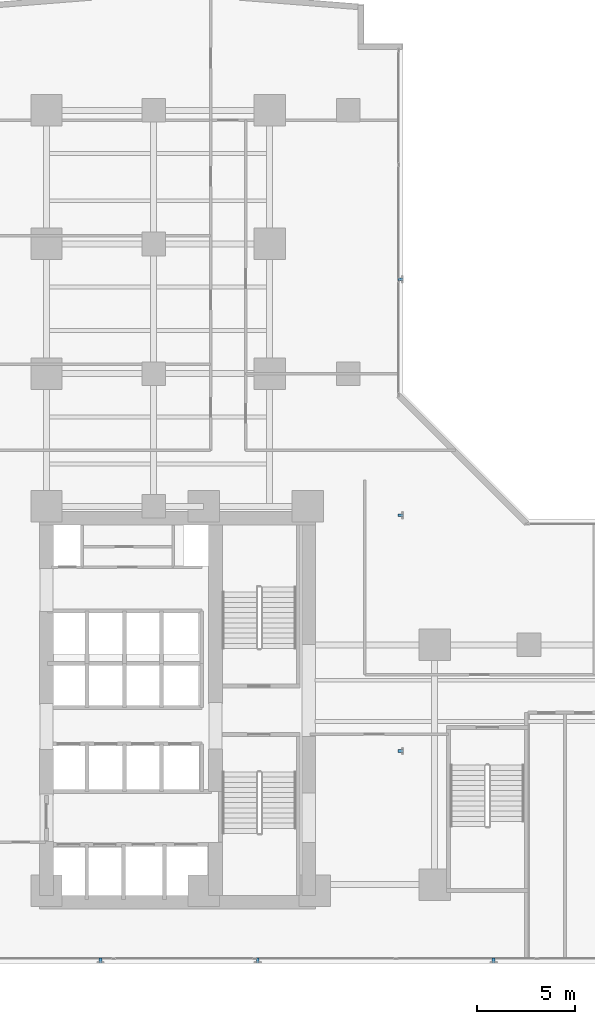
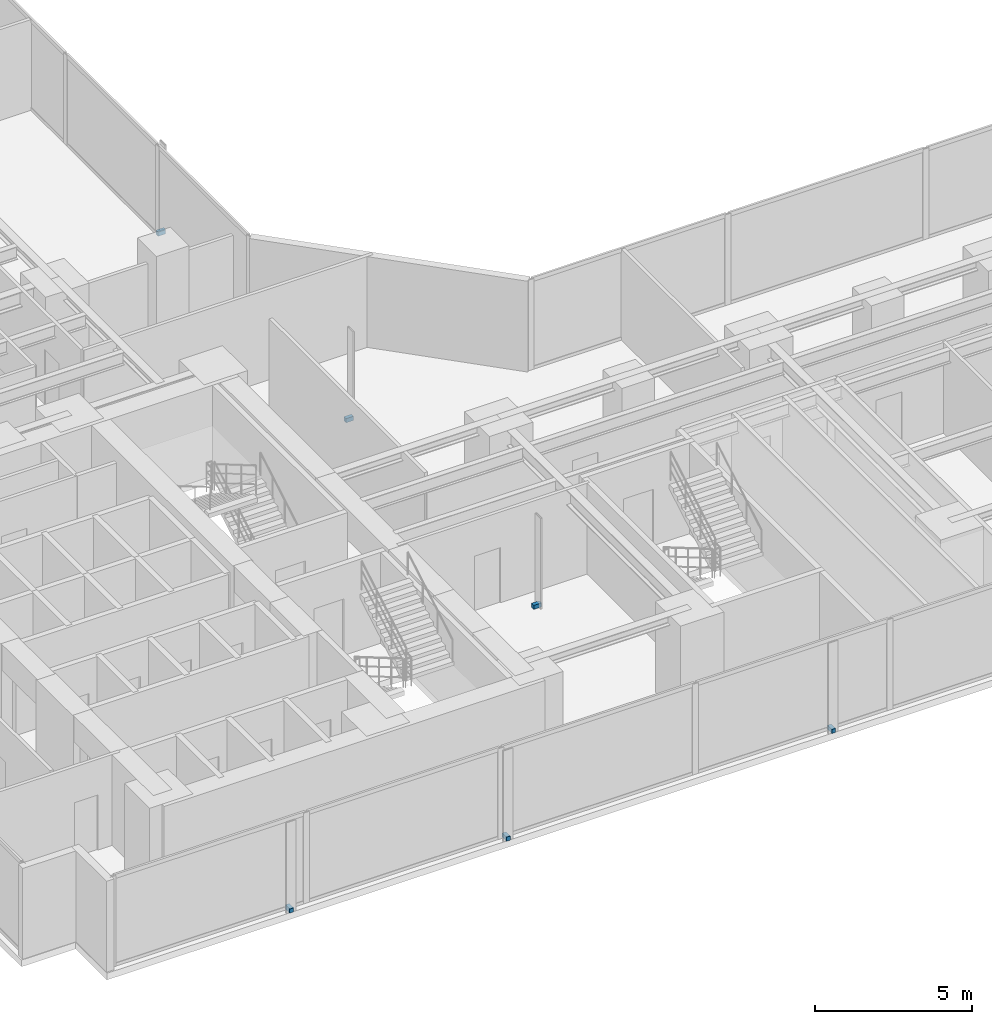
# One storey, part 25 of 28: 6 discrete accessories.
"""IFC4 building model written with IfcOpenShell, lengths in metres."""

from ifc_helpers import new_model, si_unit, direction, frame, origin, origin_with_axes, origin_2d, place, context, subcontext, project, spatial, rectangle, extrude, source, transform, mapped, material, type_object, element, save


model = new_model("IFC4")

# Units and contexts
model_context = context("Model", 3, precision=1e-05, world=origin(), true_north=direction((0.0, 1.0)))
body_context = subcontext(model_context, "Body", "Model", "MODEL_VIEW")
ifc_project = project(units=[si_unit("LENGTHUNIT", "METRE"), si_unit("AREAUNIT", "SQUARE_METRE"), si_unit("VOLUMEUNIT", "CUBIC_METRE"), si_unit("PLANEANGLEUNIT", "RADIAN"), si_unit("MASSUNIT", "GRAM", prefix="KILO")], contexts=[model_context])

# Site, building, storey
site_placement = place(None, origin())
site = spatial("IfcSite", under=ifc_project, at=site_placement, CompositionType="ELEMENT")
building_placement = place(site_placement, origin())
building = spatial("IfcBuilding", under=site, at=building_placement, Name="Kolvaren Waterfront Exchange", CompositionType="ELEMENT")
storey_placement = place(building_placement, frame((0.0, 0.0, 56.199951171875)))
storey = spatial("IfcBuildingStorey", under=building, at=storey_placement, Name="L14", CompositionType="ELEMENT", Elevation=56.199951171875)

# Discrete accessories
ifc_material = material(Name="Stainless steel 316", Category="steel")
discrete_accessory_type = type_object("IfcDiscreteAccessoryType", Name="ARC-BRK-FIN", PredefinedType="BRACKET", material=ifc_material)
shared_shape = source(origin_with_axes(), body_context, "Body", "SweptSolid", [
    extrude(rectangle(XDim=0.280029296875, YDim=0.139892578125, at=origin_2d()), origin(), (0.0, 0.0, 1.0), 0.159912109375),
])
for number, where, z_axis, x_axis, name in (
    (1, (10.199951171875, 1.320068359375, 0.0), (0.0, 0.0, 1.0), (0.0, -1.0, 0.0), "L14 bronze fin anchor bracket FIN-L14-S1"),
    (2, (18.199951171875, 1.320068359375, 0.0), (0.0, 0.0, 1.0), (0.0, -1.0, 0.0), "L14 bronze fin anchor bracket FIN-L14-S2"),
    (3, (30.199951171875, 1.320068359375, 0.0), (0.0, 0.0, 1.0), (0.0, -1.0, 0.0), "L14 bronze fin anchor bracket FIN-L14-S3"),
    (4, (25.47998046875, 12.0, 0.0), (0.0, 0.0, 1.0), (1.0, 0.0, 0.0), "L14 bronze fin anchor bracket FIN-L14-E1"),
    (5, (25.47998046875, 24.0, 0.0), (0.0, 0.0, 1.0), (1.0, 0.0, 0.0), "L14 bronze fin anchor bracket FIN-L14-E2"),
    (6, (25.47998046875, 36.0, 0.0), (0.0, 0.0, 1.0), (1.0, 0.0, 0.0), "L14 bronze fin anchor bracket FIN-L14-E3"),
):
    element("IfcDiscreteAccessory", number, at=place(storey_placement, frame(where, z_axis=z_axis, x_axis=x_axis)), inside=storey, type_object=discrete_accessory_type, Name=name, PredefinedType="BRACKET", context=body_context, shape_type="MappedRepresentation", body=[
        mapped(shared_shape, transform((0.0, 0.0, 0.0), x_axis=(1.0, 0.0, 0.0), y_axis=(0.0, 1.0, 0.0), z_axis=(0.0, 0.0, 1.0), scale=1.0)),
    ])

save(model, "model.ifc")
